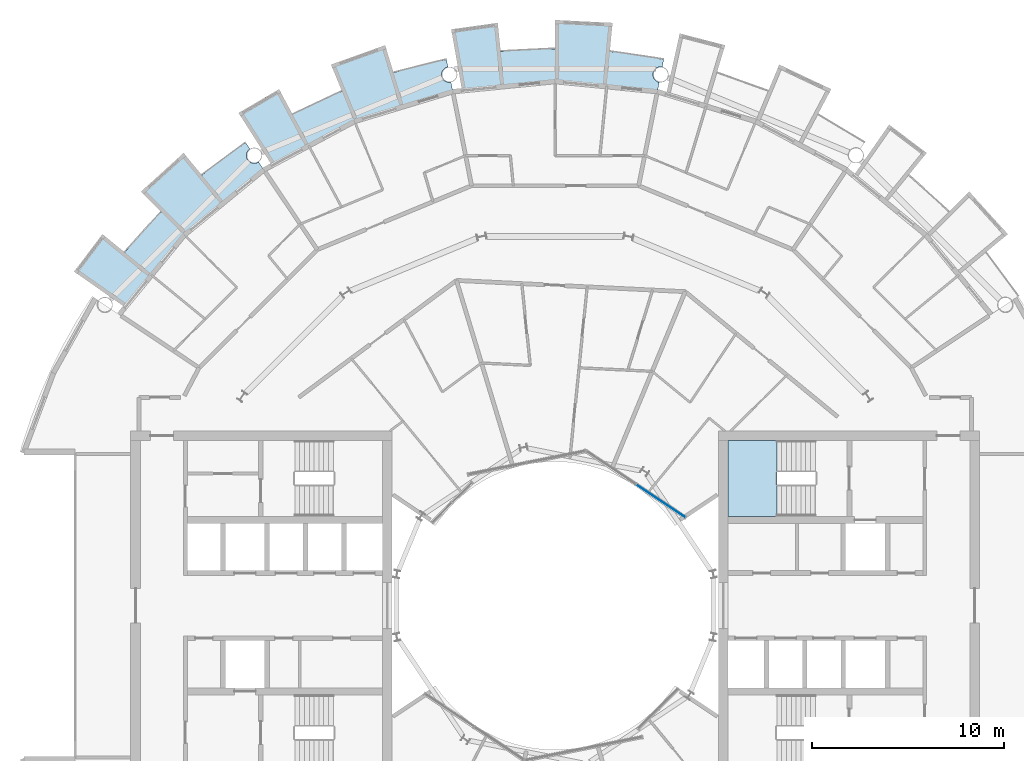
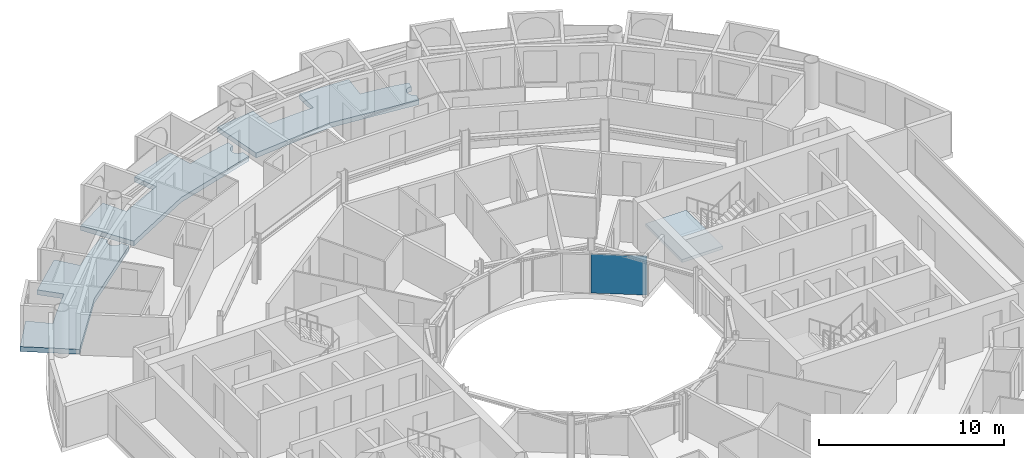
# One storey, part 12 of 27: 4 slabs, 1 plate, 2 elements without a shape of their own.
"""IFC4 building model written with IfcOpenShell, lengths in metres."""

from ifc_helpers import new_model, si_unit, direction, frame, origin, origin_2d, place, context, subcontext, project, spatial, polyline, rectangle, outline, extrude, material, layer, layer_set, type_object, element, aggregate, save


model = new_model("IFC4")

# Units and contexts
model_context = context("Model", 3, precision=1e-05, world=origin(), true_north=direction((0.0, 1.0)))
body_context = subcontext(model_context, "Body", "Model", "MODEL_VIEW")
ifc_project = project(units=[si_unit("LENGTHUNIT", "METRE"), si_unit("AREAUNIT", "SQUARE_METRE"), si_unit("VOLUMEUNIT", "CUBIC_METRE"), si_unit("PLANEANGLEUNIT", "RADIAN"), si_unit("MASSUNIT", "GRAM", prefix="KILO")], contexts=[model_context])

# Site, building, storey
site_placement = place(None, origin())
site = spatial("IfcSite", under=ifc_project, at=site_placement, CompositionType="ELEMENT")
building_placement = place(site_placement, origin())
building = spatial("IfcBuilding", under=site, at=building_placement, Name="Maasbend Ring Residences", CompositionType="ELEMENT")
storey_placement = place(building_placement, frame((0.0, 0.0, 170.75)))
storey = spatial("IfcBuildingStorey", under=building, at=storey_placement, Name="L49", CompositionType="ELEMENT", Elevation=170.75)

# Stair, slab
ifc_material_1 = material(Name="Concrete C40/50", Category="concrete")
stair_type = type_object("IfcStairType", Name="CORE STAIR 18 RISERS", PredefinedType="HALF_TURN_STAIR", material=ifc_material_1)
stair_placement = place(storey_placement, origin())
stair = element("IfcStair", 1, at=stair_placement, inside=storey, type_object=stair_type, Name="L49 Exit stair ST-E1", PredefinedType="HALF_TURN_STAIR")
ifc_material_2 = material(Name="Concrete C40/50", Category="concrete")
ifc_layer_1 = layer(ifc_material_2, 0.199951171875)
ifc_layer_set_1 = layer_set([ifc_layer_1], Name="Concrete C40/50")
slab_type_1 = type_object("IfcSlabType", Name="CORE STAIR LANDING 200", PredefinedType="LANDING", material=ifc_layer_set_1)
slab_1_placement = place(storey_placement, frame((0.0, 0.0, 1.324951171875)))
slab_1 = element("IfcSlab", 2, at=slab_1_placement, type_object=slab_type_1, Name="ST-E1 landing 1", PredefinedType="LANDING", context=body_context, shape_type="SweptSolid", body=[
    extrude(outline(polyline([(11.550048828125, 8.60009765625), (9.0, 8.60009765625), (9.0, 4.64990234375), (11.550048828125, 4.64990234375), (11.550048828125, 8.60009765625)])), origin(), (0.0, 0.0, 1.0), 0.199951171875),
])
aggregate(stair, [slab_1])

# Curtain wall, plate
ifc_material_3 = material(Name="Aluminium and clear glass", Category="aluminium")
ifc_layer_2 = layer(ifc_material_3, 0.179931640625)
ifc_layer_set_2 = layer_set([ifc_layer_2], Name="CW-W")
curtain_wall_type = type_object("IfcCurtainWallType", Name="CW-W", PredefinedType="NOTDEFINED", material=ifc_layer_set_2)
curtain_wall_placement = place(storey_placement, origin())
curtain_wall = element("IfcCurtainWall", 3, at=curtain_wall_placement, inside=storey, type_object=curtain_wall_type, Name="Well curtain wall N1", PredefinedType="NOTDEFINED")
ifc_material_4 = material(Name="Glass clear laminated", Category="glass")
ifc_layer_3 = layer(ifc_material_4, 0.031982421875)
ifc_layer_set_3 = layer_set([ifc_layer_3], Name="CWP-W")
plate_type = type_object("IfcPlateType", Name="CWP-W", PredefinedType="CURTAIN_PANEL", material=ifc_layer_set_3)
plate_placement = place(storey_placement, frame((5.51123046875, 5.44580078125, 0.0), z_axis=(0.0, 0.0, 1.0), x_axis=(-0.831469612303, 0.55557023302, 0.0)))
plate = element("IfcPlate", 4, at=plate_placement, type_object=plate_type, Name="Glass panel well face", PredefinedType="CURTAIN_PANEL", context=body_context, shape_type="SweptSolid", body=[
    extrude(rectangle(XDim=3.053955078125, YDim=0.031982421875, at=origin_2d()), origin(), (0.0, 0.0, 1.0), 2.580078125),
])
aggregate(curtain_wall, [plate])

# Slabs
ifc_material_5 = material(Name="Concrete C40/50", Category="concrete")
ifc_layer_4 = layer(ifc_material_5, 0.199951171875)
ifc_layer_set_4 = layer_set([ifc_layer_4], Name="Concrete C40/50")
slab_type_2 = type_object("IfcSlabType", Name="SL-LOGGIA", PredefinedType="FLOOR", material=ifc_layer_set_4)
slab_2_placement = place(storey_placement, frame((0.0, 0.0, -0.35009765625)))
element("IfcSlab", 5, at=slab_2_placement, inside=storey, type_object=slab_type_2, Name="Loggia floor 2", PredefinedType="FLOOR", context=body_context, shape_type="SweptSolid", body=[
    extrude(outline(polyline([(-13.6708984375, 25.575927734375), (-13.6708984375, 25.575927734375), (-13.6708984375, 25.575927734375), (-13.6708984375, 25.575927734375), (-13.6708984375, 25.575927734375), (-13.6708984375, 25.575927734375), (-13.6708984375, 25.575927734375), (-13.669921875, 25.575927734375), (-13.669921875, 25.575927734375), (-13.669921875, 25.575927734375), (-13.669921875, 25.575927734375), (-13.669921875, 25.575927734375), (-13.669921875, 25.575927734375), (-13.669921875, 25.575927734375), (-13.669921875, 25.575927734375), (-13.669921875, 25.575927734375), (-13.669921875, 25.575927734375), (-12.825927734375, 26.009033203125), (-12.825927734375, 26.009033203125), (-11.968994140625, 26.4150390625), (-11.968994140625, 26.4150390625), (-11.097900390625, 26.7919921875), (-11.097900390625, 26.7919921875), (-11.097900390625, 26.7919921875), (-11.097900390625, 26.7919921875), (-11.097900390625, 26.7919921875), (-11.097900390625, 26.7919921875), (-11.097900390625, 26.7919921875), (-11.097900390625, 26.79296875), (-11.097900390625, 26.79296875), (-11.097900390625, 26.79296875), (-11.097900390625, 26.79296875), (-11.097900390625, 26.79296875), (-11.097900390625, 26.79296875), (-11.097900390625, 26.79296875), (-11.097900390625, 26.79296875), (-11.097900390625, 26.79296875), (-11.097900390625, 26.79296875), (-11.672119140625, 28.177978515625), (-11.672119140625, 28.177978515625), (-11.672119140625, 28.177978515625), (-8.85400390625, 29.18701171875), (-8.85400390625, 29.18701171875), (-8.85400390625, 29.18701171875), (-8.41796875, 27.751953125), (-8.41796875, 27.751953125), (-8.41796875, 27.751953125), (-8.41796875, 27.751953125), (-8.41796875, 27.751953125), (-8.41796875, 27.751953125), (-8.41796875, 27.751953125), (-8.41796875, 27.7509765625), (-8.41796875, 27.7509765625), (-8.41796875, 27.7509765625), (-8.41796875, 27.7509765625), (-8.41796875, 27.7509765625), (-8.41796875, 27.7509765625), (-8.41796875, 27.7509765625), (-8.41796875, 27.7509765625), (-8.41796875, 27.7509765625), (-8.41796875, 27.7509765625), (-7.506103515625, 28.011962890625), (-7.506103515625, 28.011962890625), (-6.5849609375, 28.241943359375), (-6.5849609375, 28.241943359375), (-5.657958984375, 28.443115234375), (-5.657958984375, 28.443115234375), (-5.657958984375, 28.443115234375), (-5.5810546875, 28.056884765625), (-5.591064453125, 28.054931640625), (-5.60009765625, 28.052001953125), (-5.610107421875, 28.050048828125), (-5.6201171875, 28.047119140625), (-5.62890625, 28.0439453125), (-5.637939453125, 28.041015625), (-5.64794921875, 28.037109375), (-5.656982421875, 28.033935546875), (-5.666015625, 28.030029296875), (-5.675048828125, 28.02587890625), (-5.68408203125, 28.02099609375), (-5.693115234375, 28.01708984375), (-5.701904296875, 28.011962890625), (-5.7099609375, 28.007080078125), (-5.718994140625, 28.001953125), (-5.72705078125, 27.99609375), (-5.736083984375, 27.989990234375), (-5.743896484375, 27.985107421875), (-5.751953125, 27.97900390625), (-5.759033203125, 27.971923828125), (-5.76708984375, 27.966064453125), (-5.77392578125, 27.958984375), (-5.781982421875, 27.952880859375), (-5.7890625, 27.946044921875), (-5.7958984375, 27.93798828125), (-5.802978515625, 27.930908203125), (-5.80908203125, 27.924072265625), (-5.81591796875, 27.916015625), (-5.822021484375, 27.907958984375), (-5.827880859375, 27.89990234375), (-5.833984375, 27.89208984375), (-5.839111328125, 27.884033203125), (-5.844970703125, 27.8759765625), (-5.85009765625, 27.866943359375), (-5.85498046875, 27.85791015625), (-5.860107421875, 27.85009765625), (-5.864990234375, 27.841064453125), (-5.868896484375, 27.83203125), (-5.873046875, 27.822998046875), (-5.876953125, 27.81396484375), (-5.881103515625, 27.803955078125), (-5.884033203125, 27.794921875), (-5.886962890625, 27.785888671875), (-5.889892578125, 27.77587890625), (-5.89306640625, 27.76708984375), (-5.89599609375, 27.757080078125), (-5.89794921875, 27.7470703125), (-5.89990234375, 27.737060546875), (-5.902099609375, 27.72802734375), (-5.904052734375, 27.718017578125), (-5.905029296875, 27.7080078125), (-5.906005859375, 27.697998046875), (-5.906982421875, 27.68798828125), (-5.907958984375, 27.677978515625), (-5.907958984375, 27.66796875), (-5.907958984375, 27.657958984375), (-5.907958984375, 27.64794921875), (-5.907958984375, 27.637939453125), (-5.906982421875, 27.6279296875), (-5.906005859375, 27.617919921875), (-5.905029296875, 27.60791015625), (-5.904052734375, 27.597900390625), (-5.902099609375, 27.589111328125), (-5.89990234375, 27.5791015625), (-5.89794921875, 27.569091796875), (-5.89599609375, 27.55908203125), (-5.89306640625, 27.550048828125), (-5.889892578125, 27.5400390625), (-5.886962890625, 27.531005859375), (-5.884033203125, 27.52099609375), (-5.881103515625, 27.511962890625), (-5.876953125, 27.5029296875), (-5.873046875, 27.492919921875), (-5.868896484375, 27.48388671875), (-5.864990234375, 27.47509765625), (-5.860107421875, 27.466064453125), (-5.85498046875, 27.4580078125), (-5.85009765625, 27.448974609375), (-5.844970703125, 27.44091796875), (-5.839111328125, 27.431884765625), (-5.833984375, 27.424072265625), (-5.827880859375, 27.416015625), (-5.822021484375, 27.407958984375), (-5.81591796875, 27.39990234375), (-5.80908203125, 27.39306640625), (-5.802978515625, 27.385009765625), (-5.7958984375, 27.3779296875), (-5.7890625, 27.37109375), (-5.781982421875, 27.364013671875), (-5.77392578125, 27.35693359375), (-5.76708984375, 27.35009765625), (-5.759033203125, 27.343994140625), (-5.751953125, 27.337890625), (-5.743896484375, 27.33203125), (-5.736083984375, 27.325927734375), (-5.72705078125, 27.320068359375), (-5.718994140625, 27.31494140625), (-5.7099609375, 27.30908203125), (-5.701904296875, 27.303955078125), (-5.693115234375, 27.300048828125), (-5.68408203125, 27.294921875), (-5.675048828125, 27.291015625), (-5.666015625, 27.285888671875), (-5.656982421875, 27.282958984375), (-5.64794921875, 27.279052734375), (-5.637939453125, 27.27490234375), (-5.62890625, 27.27197265625), (-5.6201171875, 27.26904296875), (-5.610107421875, 27.26611328125), (-5.60009765625, 27.263916015625), (-5.591064453125, 27.260986328125), (-5.5810546875, 27.259033203125), (-5.571044921875, 27.258056640625), (-5.56103515625, 27.256103515625), (-5.551025390625, 27.2548828125), (-5.541015625, 27.25390625), (-5.531005859375, 27.2529296875), (-5.52099609375, 27.251953125), (-5.510986328125, 27.251953125), (-5.501953125, 27.251953125), (-5.491943359375, 27.251953125), (-5.48193359375, 27.251953125), (-5.471923828125, 27.2529296875), (-5.4619140625, 27.25390625), (-5.451904296875, 27.2548828125), (-5.44189453125, 27.256103515625), (-5.431884765625, 27.258056640625), (-5.422119140625, 27.259033203125), (-5.325927734375, 26.77490234375), (-5.325927734375, 26.77490234375), (-5.325927734375, 26.77490234375), (-7.886962890625, 25.9990234375), (-10.447021484375, 25.221923828125), (-10.447021484375, 25.221923828125), (-10.447021484375, 25.221923828125), (-12.806884765625, 23.9609375), (-14.73291015625, 22.930908203125), (-14.73291015625, 22.930908203125), (-14.73291015625, 22.930908203125), (-16.487060546875, 25.659912109375), (-16.487060546875, 25.659912109375), (-16.487060546875, 25.659912109375), (-14.3779296875, 26.89892578125), (-14.3779296875, 26.89892578125), (-14.3779296875, 26.89892578125), (-13.6708984375, 25.575927734375)])), origin(), (0.0, 0.0, 1.0), 0.320068359375),
])
slab_3_placement = place(storey_placement, frame((0.0, 0.0, -0.35009765625)))
element("IfcSlab", 6, at=slab_3_placement, inside=storey, type_object=slab_type_2, Name="Loggia floor 3", PredefinedType="FLOOR", context=body_context, shape_type="SweptSolid", body=[
    extrude(outline(polyline([(-2.843017578125, 28.861083984375), (-2.843017578125, 28.861083984375), (-2.843017578125, 28.861083984375), (-2.843017578125, 28.861083984375), (-2.842041015625, 28.861083984375), (-2.842041015625, 28.861083984375), (-2.842041015625, 28.861083984375), (-2.842041015625, 28.861083984375), (-2.842041015625, 28.861083984375), (-2.842041015625, 28.860107421875), (-2.842041015625, 28.860107421875), (-2.842041015625, 28.860107421875), (-2.842041015625, 28.860107421875), (-2.842041015625, 28.860107421875), (-2.842041015625, 28.860107421875), (-2.842041015625, 28.860107421875), (-2.842041015625, 28.860107421875), (-1.89697265625, 28.93798828125), (-1.89697265625, 28.93798828125), (-0.948974609375, 28.98388671875), (-0.948974609375, 28.98388671875), (0.0, 29.0), (0.0, 29.0), (0.0, 29.0), (0.0, 29.0), (0.0, 29.0), (0.0, 29.0), (0.0, 29.0), (0.0, 29.0), (0.0, 29.0), (0.0, 29.0), (0.0, 29.0), (0.0, 29.0), (0.0, 29.0), (0.0, 29.0), (0.0, 29.0), (0.0, 29.0), (0.0, 29.0), (0.0, 30.5), (0.0, 30.5), (0.0, 30.5), (2.989990234375, 30.35302734375), (2.989990234375, 30.35302734375), (2.989990234375, 30.35302734375), (2.843017578125, 28.861083984375), (2.843017578125, 28.861083984375), (2.843017578125, 28.861083984375), (2.843017578125, 28.861083984375), (2.843017578125, 28.861083984375), (2.843017578125, 28.861083984375), (2.843017578125, 28.861083984375), (2.843017578125, 28.861083984375), (2.843017578125, 28.860107421875), (2.843017578125, 28.860107421875), (2.843017578125, 28.860107421875), (2.843017578125, 28.860107421875), (2.843017578125, 28.860107421875), (2.843017578125, 28.860107421875), (2.843017578125, 28.860107421875), (2.843017578125, 28.860107421875), (2.843017578125, 28.860107421875), (3.784912109375, 28.751953125), (3.784912109375, 28.751953125), (4.72412109375, 28.613037109375), (4.72412109375, 28.613037109375), (5.657958984375, 28.443115234375), (5.657958984375, 28.443115234375), (5.657958984375, 28.443115234375), (5.5810546875, 28.056884765625), (5.5810546875, 28.056884765625), (5.571044921875, 28.05908203125), (5.56103515625, 28.06005859375), (5.551025390625, 28.06201171875), (5.541015625, 28.06298828125), (5.531005859375, 28.06298828125), (5.52099609375, 28.06396484375), (5.510986328125, 28.06396484375), (5.501953125, 28.06494140625), (5.491943359375, 28.06396484375), (5.48193359375, 28.06396484375), (5.471923828125, 28.06298828125), (5.4619140625, 28.06298828125), (5.451904296875, 28.06201171875), (5.44189453125, 28.06005859375), (5.431884765625, 28.05908203125), (5.422119140625, 28.056884765625), (5.412109375, 28.054931640625), (5.403076171875, 28.052001953125), (5.39306640625, 28.050048828125), (5.383056640625, 28.047119140625), (5.3740234375, 28.0439453125), (5.364990234375, 28.041015625), (5.35498046875, 28.037109375), (5.345947265625, 28.033935546875), (5.3369140625, 28.030029296875), (5.327880859375, 28.02587890625), (5.319091796875, 28.02099609375), (5.31005859375, 28.01708984375), (5.301025390625, 28.011962890625), (5.29296875, 28.007080078125), (5.283935546875, 28.001953125), (5.27587890625, 27.99609375), (5.26708984375, 27.989990234375), (5.259033203125, 27.985107421875), (5.2509765625, 27.97900390625), (5.243896484375, 27.971923828125), (5.236083984375, 27.966064453125), (5.22900390625, 27.958984375), (5.220947265625, 27.952880859375), (5.214111328125, 27.946044921875), (5.20703125, 27.93798828125), (5.199951171875, 27.930908203125), (5.194091796875, 27.924072265625), (5.18701171875, 27.916015625), (5.180908203125, 27.907958984375), (5.175048828125, 27.89990234375), (5.1689453125, 27.89208984375), (5.1640625, 27.884033203125), (5.157958984375, 27.8759765625), (5.153076171875, 27.866943359375), (5.14794921875, 27.85791015625), (5.14306640625, 27.85009765625), (5.137939453125, 27.841064453125), (5.134033203125, 27.83203125), (5.1298828125, 27.822998046875), (5.1259765625, 27.81396484375), (5.1220703125, 27.803955078125), (5.118896484375, 27.794921875), (5.115966796875, 27.785888671875), (5.113037109375, 27.77587890625), (5.110107421875, 27.76708984375), (5.10693359375, 27.757080078125), (5.10498046875, 27.7470703125), (5.10302734375, 27.737060546875), (5.10107421875, 27.72802734375), (5.09912109375, 27.718017578125), (5.097900390625, 27.7080078125), (5.096923828125, 27.697998046875), (5.095947265625, 27.68798828125), (5.094970703125, 27.677978515625), (5.094970703125, 27.66796875), (5.094970703125, 27.657958984375), (5.094970703125, 27.64794921875), (5.094970703125, 27.637939453125), (5.095947265625, 27.6279296875), (5.096923828125, 27.617919921875), (5.097900390625, 27.60791015625), (5.09912109375, 27.597900390625), (5.10107421875, 27.589111328125), (5.10302734375, 27.5791015625), (5.10498046875, 27.569091796875), (5.10693359375, 27.55908203125), (5.110107421875, 27.550048828125), (5.113037109375, 27.5400390625), (5.115966796875, 27.531005859375), (5.118896484375, 27.52099609375), (5.1220703125, 27.511962890625), (5.1259765625, 27.5029296875), (5.1298828125, 27.492919921875), (5.134033203125, 27.48388671875), (5.137939453125, 27.47509765625), (5.14306640625, 27.466064453125), (5.14794921875, 27.4580078125), (5.153076171875, 27.448974609375), (5.157958984375, 27.44091796875), (5.1640625, 27.431884765625), (5.1689453125, 27.424072265625), (5.175048828125, 27.416015625), (5.180908203125, 27.407958984375), (5.18701171875, 27.39990234375), (5.194091796875, 27.39306640625), (5.199951171875, 27.385009765625), (5.20703125, 27.3779296875), (5.214111328125, 27.37109375), (5.220947265625, 27.364013671875), (5.22900390625, 27.35693359375), (5.236083984375, 27.35009765625), (5.243896484375, 27.343994140625), (5.2509765625, 27.337890625), (5.259033203125, 27.33203125), (5.26708984375, 27.325927734375), (5.27587890625, 27.320068359375), (5.283935546875, 27.31494140625), (5.29296875, 27.30908203125), (5.301025390625, 27.303955078125), (5.31005859375, 27.300048828125), (5.319091796875, 27.294921875), (5.327880859375, 27.291015625), (5.3369140625, 27.285888671875), (5.345947265625, 27.282958984375), (5.35498046875, 27.279052734375), (5.364990234375, 27.27490234375), (5.3740234375, 27.27197265625), (5.383056640625, 27.26904296875), (5.39306640625, 27.26611328125), (5.403076171875, 27.263916015625), (5.412109375, 27.260986328125), (5.422119140625, 27.259033203125), (5.422119140625, 27.259033203125), (5.325927734375, 26.77490234375), (5.325927734375, 26.77490234375), (5.325927734375, 26.77490234375), (2.6630859375, 27.0380859375), (0.0, 27.300048828125), (0.0, 27.300048828125), (0.0, 27.300048828125), (-2.6630859375, 27.0380859375), (-4.8359375, 26.823974609375), (-4.8359375, 26.823974609375), (-4.8359375, 26.823974609375), (-5.412109375, 30.01611328125), (-5.412109375, 30.01611328125), (-5.412109375, 30.01611328125), (-2.989990234375, 30.35302734375), (-2.989990234375, 30.35302734375), (-2.989990234375, 30.35302734375), (-2.843017578125, 28.861083984375)])), origin(), (0.0, 0.0, 1.0), 0.320068359375),
])
slab_4_placement = place(storey_placement, frame((0.0, 0.0, -0.35009765625)))
element("IfcSlab", 7, at=slab_4_placement, inside=storey, type_object=slab_type_2, Name="Loggia floor 5", PredefinedType="FLOOR", context=body_context, shape_type="SweptSolid", body=[
    extrude(outline(polyline([(-22.41796875, 18.39794921875), (-22.41796875, 18.39794921875), (-22.41796875, 18.39794921875), (-22.41796875, 18.39794921875), (-22.41796875, 18.39794921875), (-22.4169921875, 18.39794921875), (-22.4169921875, 18.39794921875), (-22.4169921875, 18.39794921875), (-22.4169921875, 18.39794921875), (-22.4169921875, 18.39794921875), (-22.4169921875, 18.39794921875), (-22.4169921875, 18.39794921875), (-22.4169921875, 18.39794921875), (-22.4169921875, 18.39794921875), (-22.4169921875, 18.39794921875), (-22.4169921875, 18.39794921875), (-22.4169921875, 18.39794921875), (-21.802978515625, 19.12109375), (-21.802978515625, 19.12109375), (-21.166015625, 19.823974609375), (-21.166015625, 19.823974609375), (-20.506103515625, 20.506103515625), (-20.506103515625, 20.506103515625), (-20.506103515625, 20.506103515625), (-20.506103515625, 20.506103515625), (-20.506103515625, 20.506103515625), (-20.506103515625, 20.506103515625), (-20.506103515625, 20.506103515625), (-20.506103515625, 20.506103515625), (-20.506103515625, 20.506103515625), (-20.506103515625, 20.506103515625), (-20.506103515625, 20.506103515625), (-20.506103515625, 20.506103515625), (-20.506103515625, 20.506103515625), (-20.506103515625, 20.506103515625), (-20.506103515625, 20.506103515625), (-20.506103515625, 20.506103515625), (-20.506103515625, 20.506103515625), (-21.56689453125, 21.56689453125), (-21.56689453125, 21.56689453125), (-21.56689453125, 21.56689453125), (-19.34912109375, 23.576904296875), (-19.34912109375, 23.576904296875), (-19.34912109375, 23.576904296875), (-18.39794921875, 22.41796875), (-18.39794921875, 22.41796875), (-18.39794921875, 22.41796875), (-18.39794921875, 22.41796875), (-18.39794921875, 22.41796875), (-18.39794921875, 22.41796875), (-18.39697265625, 22.41796875), (-18.39697265625, 22.41796875), (-18.39697265625, 22.41796875), (-18.39697265625, 22.41796875), (-18.39697265625, 22.41796875), (-18.39697265625, 22.41796875), (-18.39697265625, 22.41796875), (-18.39697265625, 22.41796875), (-18.39697265625, 22.41796875), (-18.39697265625, 22.41796875), (-18.39697265625, 22.41796875), (-17.654052734375, 23.007080078125), (-17.654052734375, 23.007080078125), (-16.89208984375, 23.572998046875), (-16.89208984375, 23.572998046875), (-16.112060546875, 24.113037109375), (-16.112060546875, 24.113037109375), (-16.112060546875, 24.113037109375), (-15.89306640625, 23.784912109375), (-15.89306640625, 23.784912109375), (-15.90087890625, 23.780029296875), (-15.908935546875, 23.77392578125), (-15.9169921875, 23.76806640625), (-15.925048828125, 23.761962890625), (-15.93310546875, 23.7548828125), (-15.93994140625, 23.7490234375), (-15.947021484375, 23.741943359375), (-15.955078125, 23.735107421875), (-15.9619140625, 23.72802734375), (-15.968017578125, 23.719970703125), (-15.97509765625, 23.712890625), (-15.98095703125, 23.705078125), (-15.988037109375, 23.697021484375), (-15.993896484375, 23.68994140625), (-15.9990234375, 23.680908203125), (-16.0048828125, 23.673095703125), (-16.010986328125, 23.6650390625), (-16.01611328125, 23.656005859375), (-16.02099609375, 23.64794921875), (-16.02587890625, 23.638916015625), (-16.030029296875, 23.6298828125), (-16.034912109375, 23.62109375), (-16.0390625, 23.612060546875), (-16.04296875, 23.60302734375), (-16.0458984375, 23.593994140625), (-16.050048828125, 23.583984375), (-16.052978515625, 23.574951171875), (-16.055908203125, 23.56494140625), (-16.05908203125, 23.555908203125), (-16.06103515625, 23.5458984375), (-16.06396484375, 23.535888671875), (-16.06591796875, 23.527099609375), (-16.068115234375, 23.51708984375), (-16.069091796875, 23.507080078125), (-16.071044921875, 23.4970703125), (-16.072021484375, 23.487060546875), (-16.072021484375, 23.47705078125), (-16.072998046875, 23.467041015625), (-16.072998046875, 23.45703125), (-16.073974609375, 23.447021484375), (-16.072998046875, 23.43701171875), (-16.072998046875, 23.427001953125), (-16.072021484375, 23.4169921875), (-16.072021484375, 23.407958984375), (-16.071044921875, 23.39794921875), (-16.069091796875, 23.387939453125), (-16.068115234375, 23.3779296875), (-16.06591796875, 23.367919921875), (-16.06396484375, 23.35791015625), (-16.06103515625, 23.34912109375), (-16.05908203125, 23.339111328125), (-16.055908203125, 23.3291015625), (-16.052978515625, 23.320068359375), (-16.050048828125, 23.31005859375), (-16.0458984375, 23.301025390625), (-16.04296875, 23.2919921875), (-16.0390625, 23.282958984375), (-16.034912109375, 23.27392578125), (-16.030029296875, 23.264892578125), (-16.02587890625, 23.256103515625), (-16.02099609375, 23.2470703125), (-16.01611328125, 23.238037109375), (-16.010986328125, 23.22998046875), (-16.0048828125, 23.221923828125), (-15.9990234375, 23.212890625), (-15.993896484375, 23.205078125), (-15.988037109375, 23.197021484375), (-15.98095703125, 23.18994140625), (-15.97509765625, 23.181884765625), (-15.968017578125, 23.174072265625), (-15.9619140625, 23.1669921875), (-15.955078125, 23.159912109375), (-15.947021484375, 23.153076171875), (-15.93994140625, 23.14599609375), (-15.93310546875, 23.139892578125), (-15.925048828125, 23.133056640625), (-15.9169921875, 23.126953125), (-15.908935546875, 23.12109375), (-15.90087890625, 23.114990234375), (-15.89306640625, 23.10888671875), (-15.885009765625, 23.10400390625), (-15.8759765625, 23.09912109375), (-15.866943359375, 23.093994140625), (-15.85888671875, 23.089111328125), (-15.85009765625, 23.083984375), (-15.841064453125, 23.080078125), (-15.83203125, 23.075927734375), (-15.822998046875, 23.072021484375), (-15.81298828125, 23.068115234375), (-15.803955078125, 23.06494140625), (-15.794921875, 23.06103515625), (-15.784912109375, 23.05810546875), (-15.77587890625, 23.055908203125), (-15.76611328125, 23.052978515625), (-15.756103515625, 23.051025390625), (-15.74609375, 23.049072265625), (-15.737060546875, 23.047119140625), (-15.72705078125, 23.044921875), (-15.717041015625, 23.0439453125), (-15.70703125, 23.04296875), (-15.697021484375, 23.0419921875), (-15.68701171875, 23.041015625), (-15.677001953125, 23.041015625), (-15.6669921875, 23.041015625), (-15.656982421875, 23.041015625), (-15.64697265625, 23.041015625), (-15.636962890625, 23.0419921875), (-15.626953125, 23.04296875), (-15.616943359375, 23.0439453125), (-15.60693359375, 23.044921875), (-15.597900390625, 23.047119140625), (-15.587890625, 23.049072265625), (-15.577880859375, 23.051025390625), (-15.568115234375, 23.052978515625), (-15.55908203125, 23.055908203125), (-15.549072265625, 23.05810546875), (-15.5400390625, 23.06103515625), (-15.530029296875, 23.06494140625), (-15.52099609375, 23.068115234375), (-15.511962890625, 23.072021484375), (-15.501953125, 23.075927734375), (-15.492919921875, 23.080078125), (-15.48388671875, 23.083984375), (-15.47509765625, 23.089111328125), (-15.467041015625, 23.093994140625), (-15.4580078125, 23.09912109375), (-15.449951171875, 23.10400390625), (-15.44091796875, 23.10888671875), (-15.44091796875, 23.10888671875), (-15.1669921875, 22.698974609375), (-15.1669921875, 22.698974609375), (-15.1669921875, 22.698974609375), (-17.236083984375, 21.001953125), (-19.303955078125, 19.303955078125), (-19.303955078125, 19.303955078125), (-19.303955078125, 19.303955078125), (-21.001953125, 17.236083984375), (-22.386962890625, 15.547119140625), (-22.386962890625, 15.547119140625), (-22.386962890625, 15.547119140625), (-25.051025390625, 17.39794921875), (-25.051025390625, 17.39794921875), (-25.051025390625, 17.39794921875), (-23.576904296875, 19.34912109375), (-23.576904296875, 19.34912109375), (-23.576904296875, 19.34912109375), (-22.41796875, 18.39794921875)])), origin(), (0.0, 0.0, 1.0), 0.320068359375),
])

save(model, "model.ifc")
